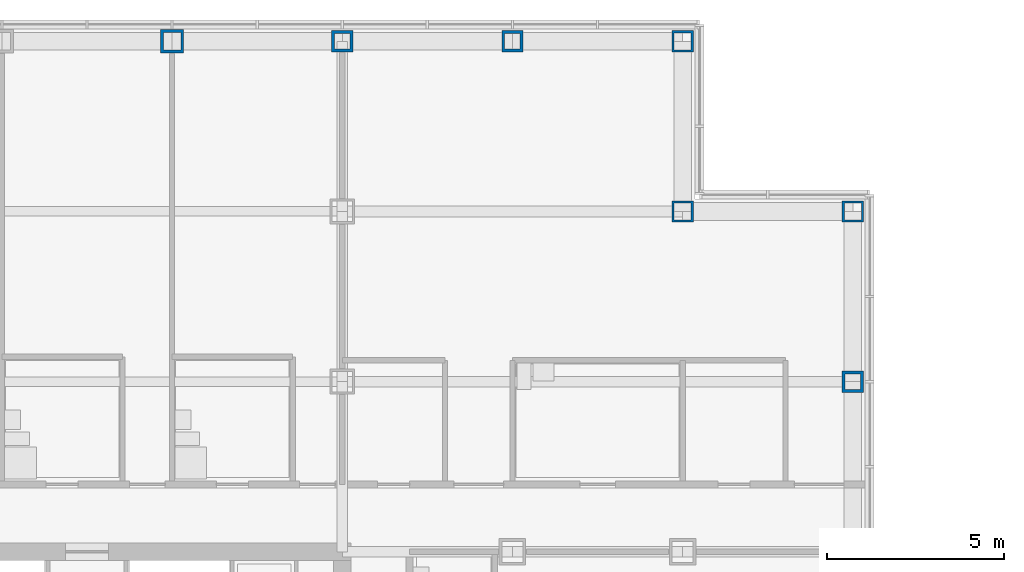
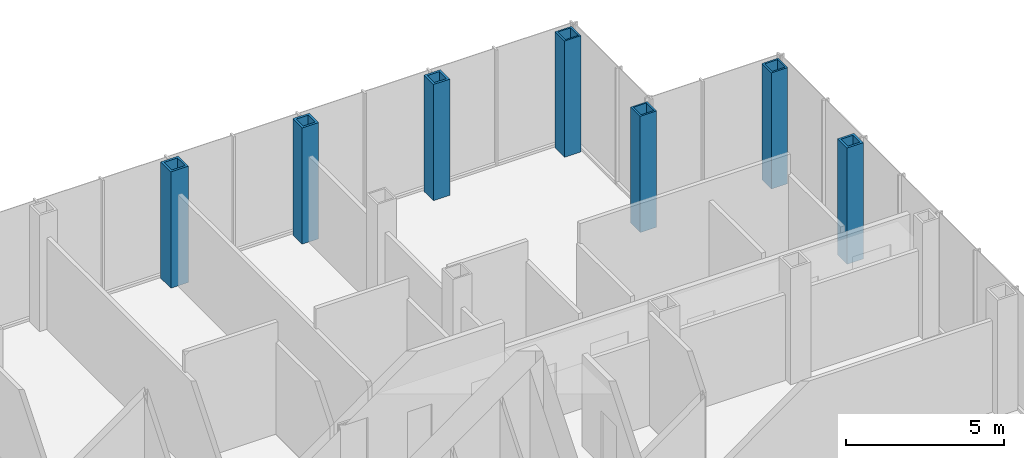
# One storey, part 10 of 25: 7 columns.
"""IFC4 building model written with IfcOpenShell, lengths in metres."""

from ifc_helpers import new_model, si_unit, direction, frame, origin, origin_2d, place, context, subcontext, project, spatial, hollow_rectangle, extrude, material, material_profile, profile_set, type_object, element, save


model = new_model("IFC4")

# Units and contexts
model_context = context("Model", 3, precision=1e-05, world=origin(), true_north=direction((0.0, 1.0)))
body_context = subcontext(model_context, "Body", "Model", "MODEL_VIEW")
ifc_project = project(units=[si_unit("LENGTHUNIT", "METRE"), si_unit("AREAUNIT", "SQUARE_METRE"), si_unit("VOLUMEUNIT", "CUBIC_METRE"), si_unit("PLANEANGLEUNIT", "RADIAN"), si_unit("MASSUNIT", "GRAM", prefix="KILO")], contexts=[model_context])

# Site, building, storey
site_placement = place(None, origin())
site = spatial("IfcSite", under=ifc_project, at=site_placement, CompositionType="ELEMENT")
building_placement = place(site_placement, origin())
building = spatial("IfcBuilding", under=site, at=building_placement, Name="Kvirike Care Tower", CompositionType="ELEMENT")
storey_placement = place(building_placement, frame((0.0, 0.0, 9.0)))
storey = spatial("IfcBuildingStorey", under=building, at=storey_placement, Name="L02", CompositionType="ELEMENT", Elevation=9.0)

# Columns
ifc_material_1 = material(Name="Steel S460", Category="steel")
ifc_material_profile_1 = material_profile(ifc_material_1, hollow_rectangle(XDim=0.60009765625, YDim=0.60009765625, WallThickness=0.06005859375, at=origin_2d()), Name="BX 600x600x60")
ifc_profile_set_1 = profile_set([ifc_material_profile_1], Name="Steel S460")
column_type_1 = type_object("IfcColumnType", Name="COLUMN BX 600x600x60", PredefinedType="COLUMN", material=ifc_profile_set_1)
for number, where, z_axis, x_axis, name in (
    (1, (38.39990234375, 52.800048828125, 0.0), (0.0, 0.0, 1.0), (0.0, 1.0, 0.0), "Column M11 L02"),
    (2, (38.39990234375, 57.60009765625, 0.0), (0.0, 0.0, 1.0), (0.0, 1.0, 0.0), "Column N11 L02"),
    (3, (43.199951171875, 52.800048828125, 0.0), (0.0, 0.0, 1.0), (0.0, 1.0, 0.0), "Column M12 L02"),
):
    element("IfcColumn", number, at=place(storey_placement, frame(where, z_axis=z_axis, x_axis=x_axis)), inside=storey, type_object=column_type_1, Name=name, PredefinedType="COLUMN", context=body_context, shape_type="SweptSolid", body=[
        extrude(hollow_rectangle(XDim=0.60009765625, YDim=0.60009765625, WallThickness=0.06005859375, at=origin_2d()), origin(), (0.0, 0.0, 1.0), 4.5),
    ])
ifc_material_2 = material(Name="Steel S460", Category="steel")
ifc_material_profile_2 = material_profile(ifc_material_2, hollow_rectangle(XDim=0.60009765625, YDim=0.60009765625, WallThickness=0.080078125, at=origin_2d()), Name="BX 600x600x80")
ifc_profile_set_2 = profile_set([ifc_material_profile_2], Name="Steel S460")
column_type_2 = type_object("IfcColumnType", Name="COLUMN BX 600x600x80", PredefinedType="COLUMN", material=ifc_profile_set_2)
for number, where, z_axis, x_axis, name in (
    (4, (28.800048828125, 57.60009765625, 0.0), (0.0, 0.0, 1.0), (0.0, 1.0, 0.0), "Column N9 L02"),
    (5, (33.60009765625, 57.60009765625, 0.0), (0.0, 0.0, 1.0), (0.0, 1.0, 0.0), "Column N10 L02"),
    (6, (43.199951171875, 48.0, 0.0), (0.0, 0.0, 1.0), (1.0, 0.0, 0.0), "Column L12 L02"),
):
    element("IfcColumn", number, at=place(storey_placement, frame(where, z_axis=z_axis, x_axis=x_axis)), inside=storey, type_object=column_type_2, Name=name, PredefinedType="COLUMN", context=body_context, shape_type="SweptSolid", body=[
        extrude(hollow_rectangle(XDim=0.60009765625, YDim=0.60009765625, WallThickness=0.080078125, at=origin_2d()), origin(), (0.0, 0.0, 1.0), 4.5),
    ])
ifc_material_3 = material(Name="Steel S460", Category="steel")
ifc_material_profile_3 = material_profile(ifc_material_3, hollow_rectangle(XDim=0.64990234375, YDim=0.64990234375, WallThickness=0.080078125, at=origin_2d()), Name="BX 650x650x80")
ifc_profile_set_3 = profile_set([ifc_material_profile_3], Name="Steel S460")
column_type_3 = type_object("IfcColumnType", Name="COLUMN BX 650x650x80", PredefinedType="COLUMN", material=ifc_profile_set_3)
column_placement = place(storey_placement, frame((24.0, 57.60009765625, 0.0), z_axis=(0.0, 0.0, 1.0), x_axis=(0.0, 1.0, 0.0)))
element("IfcColumn", 7, at=column_placement, inside=storey, type_object=column_type_3, Name="Column N8 L02", PredefinedType="COLUMN", context=body_context, shape_type="SweptSolid", body=[
    extrude(hollow_rectangle(XDim=0.64990234375, YDim=0.64990234375, WallThickness=0.080078125, at=origin_2d()), origin(), (0.0, 0.0, 1.0), 4.5),
])

save(model, "model.ifc")
